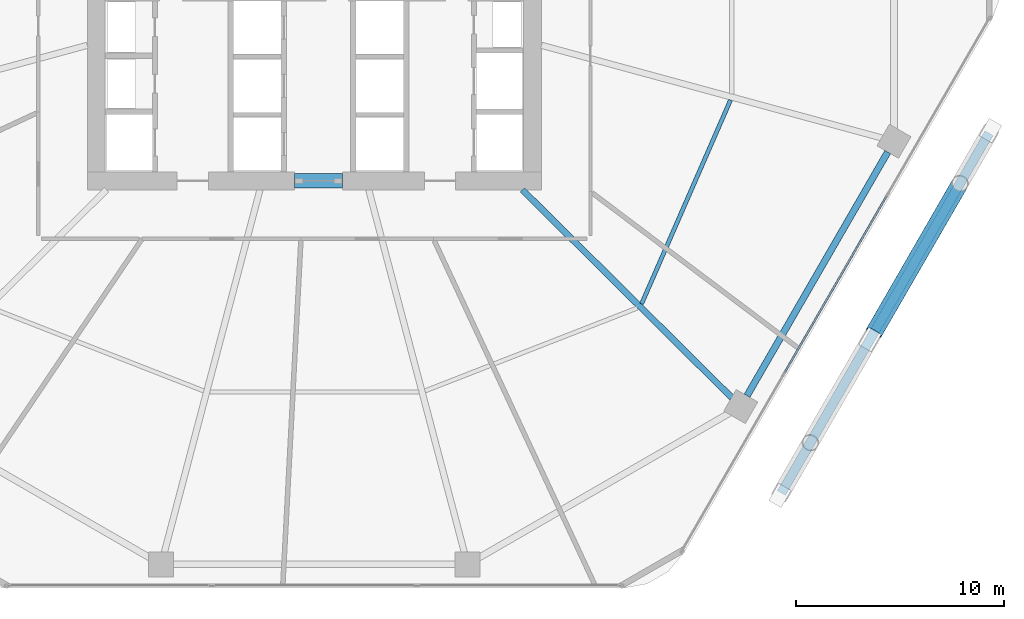
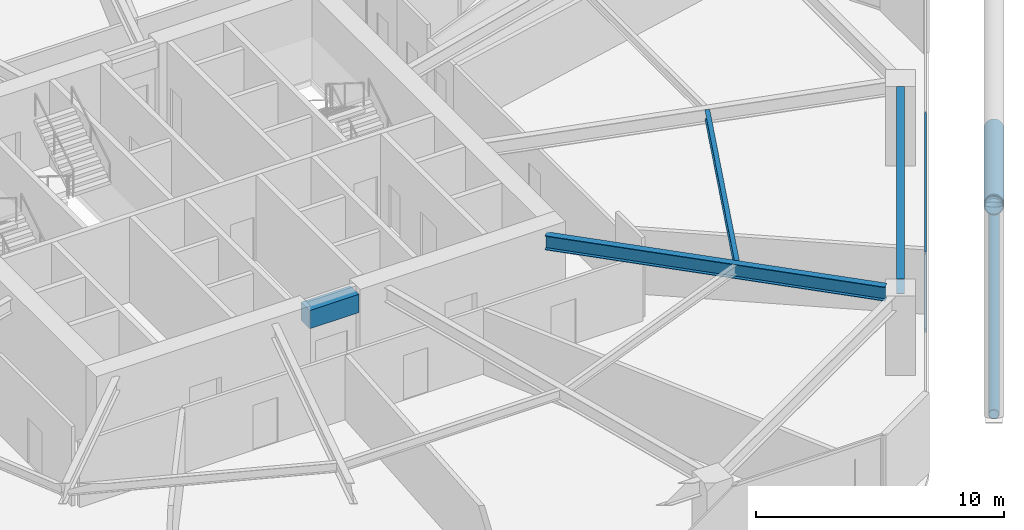
# One storey, part 10 of 29: 4 beams, 4 members, 1 element without a shape of its own.
"""IFC4 building model written with IfcOpenShell, lengths in metres."""

from ifc_helpers import new_model, si_unit, direction, frame, origin, origin_2d, place, context, subcontext, project, spatial, rectangle, hollow_rectangle, hollow_circle, i_section, extrude, material, material_profile, profile_set, type_object, element, aggregate, save


model = new_model("IFC4")

# Units and contexts
model_context = context("Model", 3, precision=1e-05, world=origin(), true_north=direction((0.0, 1.0)))
body_context = subcontext(model_context, "Body", "Model", "MODEL_VIEW")
ifc_project = project(units=[si_unit("LENGTHUNIT", "METRE"), si_unit("AREAUNIT", "SQUARE_METRE"), si_unit("VOLUMEUNIT", "CUBIC_METRE"), si_unit("PLANEANGLEUNIT", "RADIAN"), si_unit("MASSUNIT", "GRAM", prefix="KILO")], contexts=[model_context])

# Site, building, storey
site_placement = place(None, origin())
site = spatial("IfcSite", under=ifc_project, at=site_placement, CompositionType="ELEMENT")
building_placement = place(site_placement, origin())
building = spatial("IfcBuilding", under=site, at=building_placement, Name="Zuhravey Tower", CompositionType="ELEMENT")
storey_placement = place(building_placement, frame((0.0, 0.0, 41.39990234375)))
storey = spatial("IfcBuildingStorey", under=building, at=storey_placement, Name="L10", CompositionType="ELEMENT", Elevation=41.39990234375)

# Beam
ifc_material_1 = material(Name="Concrete C60/75", Category="concrete")
ifc_material_profile_1 = material_profile(ifc_material_1, rectangle(XDim=0.699951171875, YDim=0.89990234375, at=origin_2d()), Name="RC-700x900")
ifc_profile_set_1 = profile_set([ifc_material_profile_1], Name="Concrete C60/75")
beam_type_1 = type_object("IfcBeamType", Name="Core Coupling Beam RC700x900", PredefinedType="LINTEL", material=ifc_profile_set_1)
beam_1_placement = place(storey_placement, frame((35.052001953125, 22.5, 3.47021484375), z_axis=(1.0, 0.0, 0.0), x_axis=(0.0, 1.0, 0.0)))
element("IfcBeam", 1, at=beam_1_placement, inside=storey, type_object=beam_type_1, Name="L10 CB1 BM-L10-CB-S", PredefinedType="LINTEL", context=body_context, shape_type="SweptSolid", body=[
    extrude(rectangle(XDim=0.699951171875, YDim=0.89990234375, at=origin_2d()), origin(), (0.0, 0.0, 1.0), 2.2958984375),
])

# Curtain wall, members
ifc_material_2 = material(Name="Thermally broken anodised aluminium", Category="aluminium")
curtain_wall_type = type_object("IfcCurtainWallType", Name="School Low-E Unitised Curtain Wall CW1", PredefinedType="NOTDEFINED", material=ifc_material_2)
curtain_wall_placement = place(storey_placement, origin())
curtain_wall = element("IfcCurtainWall", 2, at=curtain_wall_placement, inside=storey, type_object=curtain_wall_type, Name="L10 CW1 CW-L10-F6-1", PredefinedType="NOTDEFINED")
ifc_material_3 = material(Name="Anodised aluminium", Category="aluminium")
ifc_material_profile_2 = material_profile(ifc_material_3, hollow_rectangle(XDim=0.090087890625, YDim=0.14990234375, WallThickness=0.0048828125, at=origin_2d()), Name="ALU-RHS-90x150x5")
ifc_profile_set_2 = profile_set([ifc_material_profile_2], Name="Anodised aluminium")
member_type_1 = type_object("IfcMemberType", Name="Curtain-Wall Transom 90x150", PredefinedType="USERDEFINED", material=ifc_profile_set_2)
member_1_placement = place(storey_placement, frame((63.52294921875, 21.754150390625, 0.045166015625), z_axis=(-0.499990498062, -0.866030889661, 0.0), x_axis=(0.866030889661, -0.499990498062, 0.0)))
member_1 = element("IfcMember", 3, at=member_1_placement, type_object=member_type_1, Name="CW1 transom 2.1", ObjectType="TRANSOM", PredefinedType="USERDEFINED", context=body_context, shape_type="SweptSolid", body=[
    extrude(hollow_rectangle(XDim=0.090087890625, YDim=0.14990234375, WallThickness=0.0048828125, at=origin_2d()), origin(), (0.0, 0.0, 1.0), 9.776611328125),
])
member_2_placement = place(storey_placement, frame((63.52294921875, 21.754150390625, 3.875), z_axis=(-0.499990498062, -0.866030889661, 0.0), x_axis=(0.866030889661, -0.499990498062, 0.0)))
member_2 = element("IfcMember", 4, at=member_2_placement, type_object=member_type_1, Name="CW1 transom 2.2", ObjectType="TRANSOM", PredefinedType="USERDEFINED", context=body_context, shape_type="SweptSolid", body=[
    extrude(hollow_rectangle(XDim=0.090087890625, YDim=0.14990234375, WallThickness=0.0048828125, at=origin_2d()), origin(), (0.0, 0.0, 1.0), 9.776611328125),
])
aggregate(curtain_wall, [member_1, member_2])

# Members
ifc_material_4 = material(Name="Steel SM355", Category="steel")
ifc_material_profile_3 = material_profile(ifc_material_4, hollow_circle(Radius=0.228515625, WallThickness=0.02197265625, at=origin_2d()), Name="CHS-457.2x22")
ifc_profile_set_3 = profile_set([ifc_material_profile_3], Name="Steel SM355")
member_type_2 = type_object("IfcMemberType", Name="Exoskeleton Ring Tie CHS457x22", PredefinedType="CHORD", material=ifc_profile_set_3)
member_3_placement = place(storey_placement, frame((58.470703125, 7.483154296875, -0.493896484375), z_axis=(0.499987058157, 0.866032875632, 0.0), x_axis=(-0.866032875632, 0.499987058157, 0.0)))
element("IfcMember", 5, at=member_3_placement, inside=storey, type_object=member_type_2, Name="L10 Exoskeleton Face 6 Tie EXR1", PredefinedType="CHORD", context=body_context, shape_type="SweptSolid", body=[
    extrude(hollow_circle(Radius=0.228515625, WallThickness=0.02197265625, at=origin_2d()), origin(), (0.0, 0.0, 1.0), 19.99365234375),
])
ifc_material_5 = material(Name="Steel SM460", Category="steel")
ifc_material_profile_4 = material_profile(ifc_material_5, hollow_circle(Radius=0.406494140625, WallThickness=0.035888671875, at=origin_2d()), Name="CHS-812.8x36")
ifc_profile_set_4 = profile_set([ifc_material_profile_4], Name="Steel SM460")
member_type_3 = type_object("IfcMemberType", Name="Exoskeleton Zone 1 Diagrid CHS813x36", PredefinedType="BRACE", material=ifc_profile_set_4)
member_4_placement = place(storey_placement, frame((68.513671875, 24.87841796875, -0.476806640625), z_axis=(-0.470165522703, -0.814361240323, 0.340235435427), x_axis=(0.866028239721, -0.499995087982, 0.0)))
element("IfcMember", 6, at=member_4_placement, inside=storey, type_object=member_type_3, Name="L10 Face 6 Split Diagrid Brace 3A", PredefinedType="BRACE", context=body_context, shape_type="SweptSolid", body=[
    extrude(hollow_circle(Radius=0.406494140625, WallThickness=0.035888671875, at=origin_2d()), origin(), (0.0, 0.0, 1.0), 11.89794921875),
])

# Beams
ifc_material_profile_5 = material_profile(ifc_material_4, i_section(OverallWidth=0.320068359375, OverallDepth=0.75, WebThickness=0.013916015625, FlangeThickness=0.02490234375, at=origin_2d()), Name="H-750x320x14x25")
ifc_profile_set_5 = profile_set([ifc_material_profile_5], Name="Steel SM355")
beam_type_2 = type_object("IfcBeamType", Name="Perimeter Ring Beam H750x320", PredefinedType="BEAM", material=ifc_profile_set_5)
beam_2_placement = place(storey_placement, frame((56.820556640625, 12.165283203125, 3.545166015625), z_axis=(0.499999877243, 0.866025474658, 0.0), x_axis=(-0.866025474658, 0.499999877243, 0.0)))
element("IfcBeam", 7, at=beam_2_placement, inside=storey, type_object=beam_type_2, Name="L10 PB1 BM-L10-PB-11", PredefinedType="BEAM", context=body_context, shape_type="SweptSolid", body=[
    extrude(i_section(OverallWidth=0.320068359375, OverallDepth=0.75, WebThickness=0.013916015625, FlangeThickness=0.02490234375, at=origin_2d()), origin(), (0.0, 0.0, 1.0), 13.5341796875),
])
ifc_material_profile_6 = material_profile(ifc_material_4, i_section(OverallWidth=0.300048828125, OverallDepth=0.699951171875, WebThickness=0.012939453125, FlangeThickness=0.02392578125, at=origin_2d()), Name="H-700x300x13x24")
ifc_profile_set_6 = profile_set([ifc_material_profile_6], Name="Steel SM355")
beam_type_3 = type_object("IfcBeamType", Name="Radial Primary Girder H700x300", PredefinedType="BEAM", material=ifc_profile_set_6)
beam_3_placement = place(storey_placement, frame((46.007080078125, 22.072021484375, 3.570068359375), z_axis=(0.709902823282, -0.704299639, 0.0), x_axis=(0.704299639, 0.709902823282, 0.0)))
element("IfcBeam", 8, at=beam_3_placement, inside=storey, type_object=beam_type_3, Name="L10 RG1 BM-L10-RAD-11", PredefinedType="BEAM", context=body_context, shape_type="SweptSolid", body=[
    extrude(i_section(OverallWidth=0.300048828125, OverallDepth=0.699951171875, WebThickness=0.012939453125, FlangeThickness=0.02392578125, at=origin_2d()), origin(), (0.0, 0.0, 1.0), 14.204345703125),
])
ifc_material_profile_7 = material_profile(ifc_material_4, i_section(OverallWidth=0.199951171875, OverallDepth=0.449951171875, WebThickness=0.009033203125, FlangeThickness=0.013916015625, at=origin_2d()), Name="H-450x200x9x14")
ifc_profile_set_7 = profile_set([ifc_material_profile_7], Name="Steel SM355")
beam_type_4 = type_object("IfcBeamType", Name="Secondary Floor Joist H450x200", PredefinedType="JOIST", material=ifc_profile_set_7)
beam_4_placement = place(storey_placement, frame((51.7451171875, 16.58154296875, 3.695068359375), z_axis=(0.399923551578, 0.916548500022, 0.0), x_axis=(-0.916548500022, 0.399923551578, 0.0)))
element("IfcBeam", 9, at=beam_4_placement, inside=storey, type_object=beam_type_4, Name="L10 SJ1 BM-L10-SJ-11-1", PredefinedType="JOIST", context=body_context, shape_type="SweptSolid", body=[
    extrude(i_section(OverallWidth=0.199951171875, OverallDepth=0.449951171875, WebThickness=0.009033203125, FlangeThickness=0.013916015625, at=origin_2d()), origin(), (0.0, 0.0, 1.0), 10.70263671875),
])

save(model, "model.ifc")
